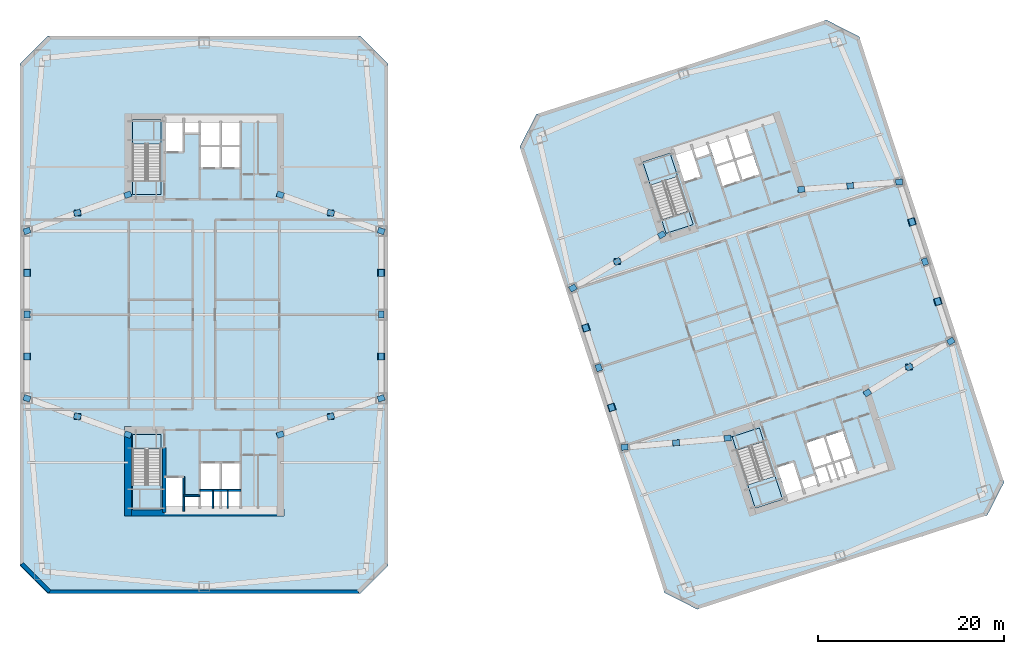
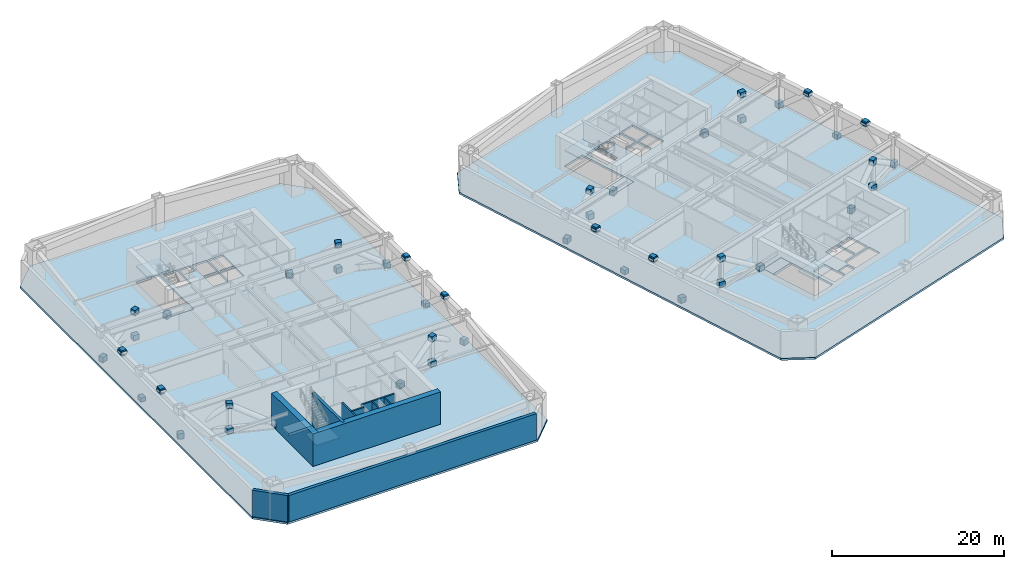
# One storey, part 8 of 16: 52 plates, 10 slabs, 10 walls, 4 elements without a shape of their own.
"""IFC4 building model written with IfcOpenShell, lengths in metres."""

from ifc_helpers import new_model, si_unit, direction, frame, frame_2d, origin, origin_2d, place, context, subcontext, project, spatial, polyline, rectangle, outline, extrude, material, layer, layer_set, type_object, element, aggregate, save


model = new_model("IFC4")

# Units and contexts
model_context = context("Model", 3, precision=1e-05, world=origin(), true_north=direction((0.0, 1.0)))
body_context = subcontext(model_context, "Body", "Model", "MODEL_VIEW")
ifc_project = project(units=[si_unit("LENGTHUNIT", "METRE"), si_unit("AREAUNIT", "SQUARE_METRE"), si_unit("VOLUMEUNIT", "CUBIC_METRE"), si_unit("PLANEANGLEUNIT", "RADIAN"), si_unit("MASSUNIT", "GRAM", prefix="KILO")], contexts=[model_context])

# Site, building, storey
site_placement = place(None, origin())
site = spatial("IfcSite", under=ifc_project, at=site_placement, CompositionType="ELEMENT")
building_placement = place(site_placement, origin())
building = spatial("IfcBuilding", under=site, at=building_placement, Name="Qiaolan Cultural Towers", CompositionType="ELEMENT")
storey_placement = place(building_placement, frame((0.0, 0.0, 46.0)))
storey = spatial("IfcBuildingStorey", under=building, at=storey_placement, Name="L10", CompositionType="ELEMENT", Elevation=46.0)

# Plates
ifc_material_1 = material(Name="Steel Q355B", Category="steel")
ifc_layer_1 = layer(ifc_material_1, 0.035888671875)
ifc_layer_set_1 = layer_set([ifc_layer_1], Name="Steel Q355B")
plate_type_1 = type_object("IfcPlateType", Name="PL-CONN-36", PredefinedType="USERDEFINED", material=ifc_layer_set_1)
for number, where, z_axis, x_axis, name in (
    (1, (21.800048828125, 21.10009765625, 0.1298828125), (0.0, 0.0, 1.0), (-0.941053149964, 0.33825873077, 0.0), "L10 Brace End Connection Gusset Plate GP-02-0604"),
    (2, (16.375, 23.050048828125, 3.7099609375), (0.0, 0.0, 1.0), (-0.941053149964, 0.33825873077, 0.0), "L10 Brace End Connection Gusset Plate GP-02-0605"),
    (3, (10.949951171875, 25.0, 0.1298828125), (0.0, 0.0, 1.0), (-0.941053149964, 0.33825873077, 0.0), "L10 Brace End Connection Gusset Plate GP-02-0606"),
    (4, (16.375, 23.050048828125, 0.1298828125), (0.0, 0.0, 1.0), (1.0, 0.0, 0.0), "L10 Brace End Connection Gusset Plate GP-02-0607"),
    (5, (21.800048828125, 46.89990234375, 0.1298828125), (0.0, 0.0, 1.0), (0.941053149964, 0.33825873077, 0.0), "L10 Brace End Connection Gusset Plate GP-02-0608"),
    (6, (16.375, 44.949951171875, 3.7099609375), (0.0, 0.0, 1.0), (0.941053149964, 0.33825873077, 0.0), "L10 Brace End Connection Gusset Plate GP-02-0609"),
    (7, (10.949951171875, 43.0, 0.1298828125), (0.0, 0.0, 1.0), (0.941053149964, 0.33825873077, 0.0), "L10 Brace End Connection Gusset Plate GP-02-0610"),
    (8, (16.375, 44.949951171875, 0.1298828125), (0.0, 0.0, 1.0), (1.0, 0.0, 0.0), "L10 Brace End Connection Gusset Plate GP-02-0611"),
    (9, (38.199951171875, 21.10009765625, 0.1298828125), (0.0, 0.0, 1.0), (0.941053149964, 0.33825873077, 0.0), "L10 Brace End Connection Gusset Plate GP-02-0612"),
    (10, (43.625, 23.050048828125, 3.7099609375), (0.0, 0.0, 1.0), (0.941053149964, 0.33825873077, 0.0), "L10 Brace End Connection Gusset Plate GP-02-0613"),
    (11, (49.050048828125, 25.0, 0.1298828125), (0.0, 0.0, 1.0), (0.941053149964, 0.33825873077, 0.0), "L10 Brace End Connection Gusset Plate GP-02-0614"),
    (12, (43.625, 23.050048828125, 0.1298828125), (0.0, 0.0, 1.0), (1.0, 0.0, 0.0), "L10 Brace End Connection Gusset Plate GP-02-0615"),
    (13, (38.199951171875, 46.89990234375, 0.1298828125), (0.0, 0.0, 1.0), (-0.941053149964, 0.33825873077, 0.0), "L10 Brace End Connection Gusset Plate GP-02-0616"),
    (14, (43.625, 44.949951171875, 3.7099609375), (0.0, 0.0, 1.0), (-0.941053149964, 0.33825873077, 0.0), "L10 Brace End Connection Gusset Plate GP-02-0617"),
    (15, (49.050048828125, 43.0, 0.1298828125), (0.0, 0.0, 1.0), (-0.941053149964, 0.33825873077, 0.0), "L10 Brace End Connection Gusset Plate GP-02-0618"),
    (16, (43.625, 44.949951171875, 0.1298828125), (0.0, 0.0, 1.0), (1.0, 0.0, 0.0), "L10 Brace End Connection Gusset Plate GP-02-0619"),
    (17, (10.949951171875, 29.5, 3.81005859375), (0.0, 0.0, 1.0), (0.0, 1.0, 0.0), "L10 Brace End Connection Gusset Plate GP-02-0620"),
    (18, (10.949951171875, 34.0, -0.169921875), (0.0, 0.0, 1.0), (0.0, 1.0, 0.0), "L10 Brace End Connection Gusset Plate GP-02-0621"),
    (19, (10.949951171875, 38.5, 3.81005859375), (0.0, 0.0, 1.0), (0.0, 1.0, 0.0), "L10 Brace End Connection Gusset Plate GP-02-0622"),
    (20, (49.050048828125, 29.5, 3.81005859375), (0.0, 0.0, 1.0), (0.0, 1.0, 0.0), "L10 Brace End Connection Gusset Plate GP-02-0623"),
    (21, (49.050048828125, 34.0, -0.169921875), (0.0, 0.0, 1.0), (0.0, 1.0, 0.0), "L10 Brace End Connection Gusset Plate GP-02-0624"),
    (22, (49.050048828125, 38.5, 3.81005859375), (0.0, 0.0, 1.0), (0.0, 1.0, 0.0), "L10 Brace End Connection Gusset Plate GP-02-0625"),
    (23, (86.32568359375, 20.71435546875, 0.1298828125), (0.0, 0.0, 1.0), (0.996157081921, 0.08758463415, 0.0), "L10 Brace End Connection Gusset Plate GP-02-0626"),
    (24, (80.780029296875, 20.226806640625, 3.7099609375), (0.0, 0.0, 1.0), (0.996157081921, 0.08758463415, 0.0), "L10 Brace End Connection Gusset Plate GP-02-0627"),
    (25, (75.234130859375, 19.739013671875, 0.1298828125), (0.0, 0.0, 1.0), (0.996157081921, 0.08758463415, 0.0), "L10 Brace End Connection Gusset Plate GP-02-0628"),
    (26, (80.780029296875, 20.226806640625, 0.1298828125), (0.0, 0.0, 1.0), (1.0, 0.0, 0.0), "L10 Brace End Connection Gusset Plate GP-02-0629"),
    (27, (79.21826171875, 42.588623046875, 0.1298828125), (0.0, 0.0, 1.0), (0.857388964622, 0.514668984246, 0.0), "L10 Brace End Connection Gusset Plate GP-02-0630"),
    (28, (74.445068359375, 39.723388671875, 3.7099609375), (0.0, 0.0, 1.0), (0.857388964622, 0.514668984246, 0.0), "L10 Brace End Connection Gusset Plate GP-02-0631"),
    (29, (69.671875, 36.858154296875, 0.1298828125), (0.0, 0.0, 1.0), (0.857388964622, 0.514668984246, 0.0), "L10 Brace End Connection Gusset Plate GP-02-0632"),
    (30, (74.445068359375, 39.723388671875, 0.1298828125), (0.0, 0.0, 1.0), (1.0, 0.0, 0.0), "L10 Brace End Connection Gusset Plate GP-02-0633"),
    (31, (101.352294921875, 25.5966796875, 0.1298828125), (0.0, 0.0, 1.0), (0.850747244003, 0.525575043948, 0.0), "L10 Brace End Connection Gusset Plate GP-02-0634"),
    (32, (105.84033203125, 28.369384765625, 3.7099609375), (0.0, 0.0, 1.0), (0.850747244003, 0.525575043948, 0.0), "L10 Brace End Connection Gusset Plate GP-02-0635"),
    (33, (110.328125, 31.141845703125, 0.1298828125), (0.0, 0.0, 1.0), (0.850747244003, 0.525575043948, 0.0), "L10 Brace End Connection Gusset Plate GP-02-0636"),
    (34, (105.84033203125, 28.369384765625, 0.1298828125), (0.0, 0.0, 1.0), (1.0, 0.0, 0.0), "L10 Brace End Connection Gusset Plate GP-02-0637"),
    (35, (94.244873046875, 47.47119140625, 0.1298828125), (0.0, 0.0, 1.0), (0.997194235509, 0.074857575889, 0.0), "L10 Brace End Connection Gusset Plate GP-02-0638"),
    (36, (99.50537109375, 47.865966796875, 3.7099609375), (0.0, 0.0, 1.0), (0.997194235509, 0.074857575889, 0.0), "L10 Brace End Connection Gusset Plate GP-02-0639"),
    (37, (104.765869140625, 48.260986328125, 0.1298828125), (0.0, 0.0, 1.0), (0.997194235509, 0.074857575889, 0.0), "L10 Brace End Connection Gusset Plate GP-02-0640"),
    (38, (99.50537109375, 47.865966796875, 0.1298828125), (0.0, 0.0, 1.0), (1.0, 0.0, 0.0), "L10 Brace End Connection Gusset Plate GP-02-0641"),
    (39, (73.843505859375, 24.018798828125, 3.81005859375), (0.0, 0.0, 1.0), (-0.309017027573, 0.951056505508, 0.0), "L10 Brace End Connection Gusset Plate GP-02-0642"),
    (40, (72.453125, 28.298583984375, -0.169921875), (0.0, 0.0, 1.0), (-0.309017027573, 0.951056505508, 0.0), "L10 Brace End Connection Gusset Plate GP-02-0643"),
    (41, (71.0625, 32.578369140625, 3.81005859375), (0.0, 0.0, 1.0), (-0.309016994375, 0.951056516295, 0.0), "L10 Brace End Connection Gusset Plate GP-02-0644"),
    (42, (108.9375, 35.421630859375, 3.81005859375), (0.0, 0.0, 1.0), (-0.309016994375, 0.951056516295, 0.0), "L10 Brace End Connection Gusset Plate GP-02-0645"),
    (43, (107.546875, 39.701416015625, -0.169921875), (0.0, 0.0, 1.0), (-0.309016994375, 0.951056516295, 0.0), "L10 Brace End Connection Gusset Plate GP-02-0646"),
    (44, (106.156494140625, 43.981201171875, 3.81005859375), (0.0, 0.0, 1.0), (-0.309017027573, 0.951056505508, 0.0), "L10 Brace End Connection Gusset Plate GP-02-0647"),
):
    element("IfcPlate", number, at=place(storey_placement, frame(where, z_axis=z_axis, x_axis=x_axis)), inside=storey, type_object=plate_type_1, Name=name, ObjectType="GUSSET_PLATE", PredefinedType="USERDEFINED", context=body_context, shape_type="SweptSolid", body=[
        extrude(rectangle(XDim=0.739990234375, YDim=0.6201171875, at=origin_2d()), origin(), (0.0, 0.0, 1.0), 0.739990234375),
    ])
ifc_material_2 = material(Name="Steel Q355B", Category="steel")
ifc_layer_2 = layer(ifc_material_2, 0.030029296875)
ifc_layer_set_2 = layer_set([ifc_layer_2], Name="Steel Q355B")
plate_type_2 = type_object("IfcPlateType", Name="PL-ENDCAP-30", PredefinedType="USERDEFINED", material=ifc_layer_set_2)
for number, where, z_axis, x_axis, name in (
    (45, (10.949951171875, 29.5, 4.0048828125), (0.0, 0.0, 1.0), (1.0, 0.0, 0.0), "Belt Truss Apex Seal Plate CP-01"),
    (46, (10.949951171875, 38.5, 4.0048828125), (0.0, 0.0, 1.0), (1.0, 0.0, 0.0), "Belt Truss Apex Seal Plate CP-01"),
    (47, (49.050048828125, 29.5, 4.0048828125), (0.0, 0.0, 1.0), (1.0, 0.0, 0.0), "Belt Truss Apex Seal Plate CP-01"),
    (48, (49.050048828125, 38.5, 4.0048828125), (0.0, 0.0, 1.0), (1.0, 0.0, 0.0), "Belt Truss Apex Seal Plate CP-01"),
    (49, (73.843505859375, 24.018798828125, 4.0048828125), (0.0, 0.0, 1.0), (0.951056516295, 0.309016994375, 0.0), "Belt Truss Apex Seal Plate CP-01"),
    (50, (71.0625, 32.578369140625, 4.0048828125), (0.0, 0.0, 1.0), (0.951056516295, 0.309016994375, 0.0), "Belt Truss Apex Seal Plate CP-01"),
    (51, (108.9375, 35.421630859375, 4.0048828125), (0.0, 0.0, 1.0), (0.951056516295, 0.309016994375, 0.0), "Belt Truss Apex Seal Plate CP-01"),
    (52, (106.156494140625, 43.981201171875, 4.0048828125), (0.0, 0.0, 1.0), (0.951056516295, 0.309016994375, 0.0), "Belt Truss Apex Seal Plate CP-01"),
):
    element("IfcPlate", number, at=place(storey_placement, frame(where, z_axis=z_axis, x_axis=x_axis)), inside=storey, type_object=plate_type_2, Name=name, ObjectType="BASE_PLATE", PredefinedType="USERDEFINED", context=body_context, shape_type="SweptSolid", body=[
        extrude(rectangle(XDim=0.800048828125, YDim=0.800048828125, at=origin_2d()), origin(), (0.0, 0.0, 1.0), 0.35009765625),
    ])

# Slabs
ifc_material_3 = material(Name="Concrete C50", Category="concrete")
ifc_layer_3 = layer(ifc_material_3, 0.280029296875)
ifc_layer_set_3 = layer_set([ifc_layer_3], Name="Concrete C50")
slab_type_1 = type_object("IfcSlabType", Name="SL-REF-280", PredefinedType="FLOOR", material=ifc_layer_set_3)
slab_1_placement = place(storey_placement, frame((0.0, 0.0, -0.280029296875)))
element("IfcSlab", 53, at=slab_1_placement, inside=storey, type_object=slab_type_1, Name="L10 West Tower Floor Slab", PredefinedType="FLOOR", context=body_context, shape_type="SweptSolid", body=[
    extrude(outline(polyline([(13.199951171875, 4.0), (46.800048828125, 4.0), (49.800048828125, 7.0), (49.800048828125, 61.0), (46.800048828125, 64.0), (13.199951171875, 64.0), (10.199951171875, 61.0), (10.199951171875, 7.0), (13.199951171875, 4.0)]), holes=[polyline([(22.300048828125, 21.10009765625), (22.300048828125, 13.0), (25.3798828125, 13.0), (25.3798828125, 21.10009765625), (22.300048828125, 21.10009765625)]), polyline([(25.3798828125, 46.89990234375), (25.3798828125, 55.0), (22.300048828125, 55.0), (22.300048828125, 46.89990234375), (25.3798828125, 46.89990234375)]), polyline([(25.89990234375, 13.199951171875), (27.75, 13.199951171875), (27.75, 16.449951171875), (25.89990234375, 16.449951171875), (25.89990234375, 13.199951171875)]), polyline([(27.93994140625, 13.25), (29.449951171875, 13.25), (29.449951171875, 14.419921875), (27.93994140625, 14.419921875), (27.93994140625, 13.25)]), polyline([(29.679931640625, 15.199951171875), (31.679931640625, 15.199951171875), (31.679931640625, 18.0), (29.679931640625, 18.0), (29.679931640625, 15.199951171875)]), polyline([(31.8798828125, 15.199951171875), (33.820068359375, 15.199951171875), (33.820068359375, 18.0), (31.8798828125, 18.0), (31.8798828125, 15.199951171875)]), polyline([(29.679931640625, 13.25), (33.820068359375, 13.25), (33.820068359375, 14.97998046875), (29.679931640625, 14.97998046875), (29.679931640625, 13.25)]), polyline([(25.89990234375, 51.550048828125), (27.75, 51.550048828125), (27.75, 54.800048828125), (25.89990234375, 54.800048828125), (25.89990234375, 51.550048828125)]), polyline([(27.93994140625, 53.580078125), (29.449951171875, 53.580078125), (29.449951171875, 54.75), (27.93994140625, 54.75), (27.93994140625, 53.580078125)]), polyline([(29.679931640625, 49.820068359375), (31.679931640625, 49.820068359375), (31.679931640625, 52.080078125), (29.679931640625, 52.080078125), (29.679931640625, 49.820068359375)]), polyline([(31.8798828125, 49.820068359375), (33.820068359375, 49.820068359375), (33.820068359375, 52.080078125), (31.8798828125, 52.080078125), (31.8798828125, 49.820068359375)]), polyline([(29.679931640625, 52.27001953125), (31.659912109375, 52.27001953125), (31.659912109375, 54.75), (29.679931640625, 54.75), (29.679931640625, 52.27001953125)]), polyline([(31.8798828125, 52.27001953125), (33.820068359375, 52.27001953125), (33.820068359375, 54.75), (31.8798828125, 54.75), (31.8798828125, 52.27001953125)])]), origin(), (0.0, 0.0, 1.0), 0.280029296875),
])
slab_2_placement = place(storey_placement, frame((0.0, 0.0, -0.280029296875)))
element("IfcSlab", 54, at=slab_2_placement, inside=storey, type_object=slab_type_1, Name="L10 East Tower Floor Slab", PredefinedType="FLOOR", context=body_context, shape_type="SweptSolid", body=[
    extrude(outline(polyline([(83.05517578125, 2.302490234375), (114.249755859375, 12.438232421875), (116.047607421875, 15.966552734375), (100.47314453125, 63.899658203125), (96.94482421875, 65.697509765625), (65.750244140625, 55.561767578125), (63.952392578125, 52.033447265625), (79.52685546875, 4.100341796875), (83.05517578125, 2.302490234375)]), holes=[polyline([(86.80126953125, 20.868896484375), (89.30419921875, 13.165283203125), (92.2333984375, 14.116943359375), (89.73046875, 21.820556640625), (86.80126953125, 20.868896484375)]), polyline([(82.623046875, 43.69482421875), (80.1201171875, 51.3984375), (77.190673828125, 50.44677734375), (79.69384765625, 42.7431640625), (82.623046875, 43.69482421875)]), polyline([(92.666259765625, 14.468017578125), (94.42578125, 15.03955078125), (93.42138671875, 18.130615234375), (91.661865234375, 17.558837890625), (92.666259765625, 14.468017578125)]), polyline([(94.5908203125, 15.14599609375), (96.027099609375, 15.612548828125), (95.66552734375, 16.725341796875), (94.2294921875, 16.258544921875), (94.5908203125, 15.14599609375)]), polyline([(95.643310546875, 17.5380859375), (97.54541015625, 18.15625), (96.68017578125, 20.819091796875), (94.77783203125, 20.201171875), (95.643310546875, 17.5380859375)]), polyline([(97.735595703125, 18.218017578125), (99.58056640625, 18.8173828125), (98.71533203125, 21.48046875), (96.870361328125, 20.880859375), (97.735595703125, 18.218017578125)]), polyline([(96.245849609375, 15.68359375), (100.18310546875, 16.962890625), (99.6484375, 18.608154296875), (95.711181640625, 17.328857421875), (96.245849609375, 15.68359375)]), polyline([(81.6806640625, 48.278076171875), (83.440185546875, 48.849609375), (82.435791015625, 51.940673828125), (80.67626953125, 51.368896484375), (81.6806640625, 48.278076171875)]), polyline([(82.993408203125, 50.839111328125), (84.4296875, 51.3056640625), (84.068115234375, 52.41845703125), (82.632080078125, 51.95166015625), (82.993408203125, 50.839111328125)]), polyline([(85.810302734375, 47.80078125), (87.71240234375, 48.418701171875), (87.013916015625, 50.568115234375), (85.11181640625, 49.9501953125), (85.810302734375, 47.80078125)]), polyline([(87.902587890625, 48.480712890625), (89.74755859375, 49.080078125), (89.04931640625, 51.2294921875), (87.2041015625, 50.6298828125), (87.902587890625, 48.480712890625)]), polyline([(85.05322265625, 50.130859375), (86.936279296875, 50.74267578125), (86.169921875, 53.101318359375), (84.286865234375, 52.489501953125), (85.05322265625, 50.130859375)]), polyline([(87.1455078125, 50.810791015625), (88.990478515625, 51.41015625), (88.22412109375, 53.768798828125), (86.379150390625, 53.169189453125), (87.1455078125, 50.810791015625)])]), origin(), (0.0, 0.0, 1.0), 0.280029296875),
])

# Stair, slab
ifc_material_4 = material(Name="Concrete C45", Category="concrete")
stair_type = type_object("IfcStairType", Name="STR-CORE-1500", PredefinedType="HALF_TURN_STAIR", material=ifc_material_4)
stair_1_placement = place(storey_placement, origin())
stair_1 = element("IfcStair", 55, at=stair_1_placement, inside=storey, type_object=stair_type, Name="L10 Smokeproof Exit Stair ST-W1", PredefinedType="HALF_TURN_STAIR")
ifc_material_5 = material(Name="Concrete C45", Category="concrete")
ifc_layer_4 = layer(ifc_material_5, 0.199951171875)
ifc_layer_set_4 = layer_set([ifc_layer_4], Name="Concrete C45")
slab_type_2 = type_object("IfcSlabType", Name="SL-STAIR-LAND", PredefinedType="LANDING", material=ifc_layer_set_4)
slab_3_placement = place(storey_placement, frame((0.0, 0.0, 2.10009765625)))
slab_3 = element("IfcSlab", 56, at=slab_3_placement, type_object=slab_type_2, Name="ST-W1 landing 1", PredefinedType="LANDING", context=body_context, shape_type="SweptSolid", body=[
    extrude(outline(polyline([(22.300048828125, 15.6513671875), (22.300048828125, 13.0), (25.3798828125, 13.0), (25.3798828125, 15.6513671875), (22.300048828125, 15.6513671875)])), origin(), (0.0, 0.0, 1.0), 0.199951171875),
])
aggregate(stair_1, [slab_3])

stair_2_placement = place(storey_placement, origin())
stair_2 = element("IfcStair", 57, at=stair_2_placement, inside=storey, type_object=stair_type, Name="L10 Smokeproof Exit Stair ST-W2", PredefinedType="HALF_TURN_STAIR")
slab_4_placement = place(storey_placement, frame((0.0, 0.0, 2.10009765625)))
slab_4 = element("IfcSlab", 58, at=slab_4_placement, type_object=slab_type_2, Name="ST-W2 landing 1", PredefinedType="LANDING", context=body_context, shape_type="SweptSolid", body=[
    extrude(outline(polyline([(25.3798828125, 52.3486328125), (25.3798828125, 55.0), (22.300048828125, 55.0), (22.300048828125, 52.3486328125), (25.3798828125, 52.3486328125)])), origin(), (0.0, 0.0, 1.0), 0.199951171875),
])
aggregate(stair_2, [slab_4])

stair_3_placement = place(storey_placement, origin())
stair_3 = element("IfcStair", 59, at=stair_3_placement, inside=storey, type_object=stair_type, Name="L10 Smokeproof Exit Stair ST-E1", PredefinedType="HALF_TURN_STAIR")
slab_5_placement = place(storey_placement, frame((0.0, 0.0, 2.10009765625)))
slab_5 = element("IfcSlab", 60, at=slab_5_placement, type_object=slab_type_2, Name="ST-E1 landing 1", PredefinedType="LANDING", context=body_context, shape_type="SweptSolid", body=[
    extrude(outline(polyline([(88.48486328125, 15.686767578125), (89.30419921875, 13.165283203125), (92.2333984375, 14.116943359375), (91.414306640625, 16.638671875), (88.48486328125, 15.686767578125)])), origin(), (0.0, 0.0, 1.0), 0.199951171875),
])
aggregate(stair_3, [slab_5])

stair_4_placement = place(storey_placement, origin())
stair_4 = element("IfcStair", 61, at=stair_4_placement, inside=storey, type_object=stair_type, Name="L10 Smokeproof Exit Stair ST-E2", PredefinedType="HALF_TURN_STAIR")
slab_6_placement = place(storey_placement, frame((0.0, 0.0, 2.10009765625)))
slab_6 = element("IfcSlab", 62, at=slab_6_placement, type_object=slab_type_2, Name="ST-E2 landing 1", PredefinedType="LANDING", context=body_context, shape_type="SweptSolid", body=[
    extrude(outline(polyline([(80.939208984375, 48.876953125), (80.1201171875, 51.3984375), (77.190673828125, 50.44677734375), (78.010009765625, 47.925048828125), (80.939208984375, 48.876953125)])), origin(), (0.0, 0.0, 1.0), 0.199951171875),
])
aggregate(stair_4, [slab_6])

# Slabs
ifc_material_6 = material(Name="Concrete C40", Category="concrete")
ifc_layer_5 = layer(ifc_material_6, 0.360107421875)
ifc_layer_set_5 = layer_set([ifc_layer_5], Name="Concrete C40")
slab_type_3 = type_object("IfcSlabType", Name="SL-STFLR-360", PredefinedType="LANDING", material=ifc_layer_set_5)
slab_7_placement = place(storey_placement, frame((0.0, 0.0, -0.360107421875)))
element("IfcSlab", 63, at=slab_7_placement, inside=storey, type_object=slab_type_3, Name="L10 ST-W1 Stair Floor Landing Slab", PredefinedType="LANDING", context=body_context, shape_type="SweptSolid", body=[
    extrude(outline(polyline([(22.302001953125, 21.097900390625), (22.302001953125, 19.548583984375), (25.3779296875, 19.548583984375), (25.3779296875, 21.097900390625), (22.302001953125, 21.097900390625)])), origin(), (0.0, 0.0, 1.0), 0.360107421875),
])
slab_8_placement = place(storey_placement, frame((0.0, 0.0, -0.360107421875)))
element("IfcSlab", 64, at=slab_8_placement, inside=storey, type_object=slab_type_3, Name="L10 ST-W2 Stair Floor Landing Slab", PredefinedType="LANDING", context=body_context, shape_type="SweptSolid", body=[
    extrude(outline(polyline([(25.3779296875, 46.902099609375), (25.3779296875, 48.451416015625), (22.302001953125, 48.451416015625), (22.302001953125, 46.902099609375), (25.3779296875, 46.902099609375)])), origin(), (0.0, 0.0, 1.0), 0.360107421875),
])
slab_9_placement = place(storey_placement, frame((0.0, 0.0, -0.360107421875)))
element("IfcSlab", 65, at=slab_9_placement, inside=storey, type_object=slab_type_3, Name="L10 ST-E1 Stair Floor Landing Slab", PredefinedType="LANDING", context=body_context, shape_type="SweptSolid", body=[
    extrude(outline(polyline([(86.8037109375, 20.867431640625), (87.282470703125, 19.39404296875), (90.2080078125, 20.3447265625), (89.729248046875, 21.818115234375), (86.8037109375, 20.867431640625)])), origin(), (0.0, 0.0, 1.0), 0.360107421875),
])
slab_10_placement = place(storey_placement, frame((0.0, 0.0, -0.360107421875)))
element("IfcSlab", 66, at=slab_10_placement, inside=storey, type_object=slab_type_3, Name="L10 ST-E2 Stair Floor Landing Slab", PredefinedType="LANDING", context=body_context, shape_type="SweptSolid", body=[
    extrude(outline(polyline([(82.62060546875, 43.6962890625), (82.141845703125, 45.169677734375), (79.21630859375, 44.21923828125), (79.695068359375, 42.74560546875), (82.62060546875, 43.6962890625)])), origin(), (0.0, 0.0, 1.0), 0.360107421875),
])

# Walls
ifc_material_7 = material(Name="Concrete C50", Category="concrete")
ifc_layer_6 = layer(ifc_material_7, 0.35009765625)
ifc_layer_set_6 = layer_set([ifc_layer_6], Name="Concrete C50")
wall_type_1 = type_object("IfcWallType", Name="WL-CORE-350", PredefinedType="SHEAR", material=ifc_layer_set_6)
wall_1_placement = place(storey_placement, frame((25.719970703125, 19.699951171875, 0.0), z_axis=(0.0, 0.0, 1.0), x_axis=(0.0, -1.0, 0.0)))
element("IfcWall", 67, at=wall_1_placement, inside=storey, type_object=wall_type_1, Name="L10 T1-CS Stair Core Dividing Web", PredefinedType="SHEAR", context=body_context, shape_type="SweptSolid", body=[
    extrude(rectangle(XDim=6.97998046875, YDim=0.35009765625, at=frame_2d((3.489990234375, 0.0))), origin(), (0.0, 0.0, 1.0), 4.60009765625),
])
ifc_material_8 = material(Name="Concrete C60", Category="concrete")
ifc_layer_7 = layer(ifc_material_8, 0.75)
ifc_layer_set_7 = layer_set([ifc_layer_7], Name="Concrete C60")
wall_type_2 = type_object("IfcWallType", Name="WL-CORE-750", PredefinedType="SHEAR", material=ifc_layer_set_7)
wall_2_placement = place(storey_placement, frame((21.425048828125, 12.719970703125, 0.0), z_axis=(0.0, 0.0, 1.0), x_axis=(1.0, 0.0, 0.0)))
element("IfcWall", 68, at=wall_2_placement, inside=storey, type_object=wall_type_2, Name="L10 T1-CS Outer Core Shear Wall", PredefinedType="SHEAR", context=body_context, shape_type="SweptSolid", body=[
    extrude(rectangle(XDim=17.14990234375, YDim=0.75, at=frame_2d((8.574951171875, 0.0))), origin(), (0.0, 0.0, 1.0), 4.60009765625),
])
wall_3_placement = place(storey_placement, frame((21.800048828125, 21.97509765625, 0.0), z_axis=(0.0, 0.0, 1.0), x_axis=(0.0, -1.0, 0.0)))
element("IfcWall", 69, at=wall_3_placement, inside=storey, type_object=wall_type_2, Name="L10 T1-CS West Core Shear Wall", PredefinedType="SHEAR", context=body_context, shape_type="SweptSolid", body=[
    extrude(rectangle(XDim=9.630126953125, YDim=0.75, at=frame_2d((4.81494140625, 0.0))), origin(), (0.0, 0.0, 1.0), 4.60009765625),
])
ifc_material_9 = material(Name="Precast Concrete C50 Honed Stone Pier", Category="masonry")
ifc_layer_8 = layer(ifc_material_9, 0.39990234375)
ifc_layer_set_8 = layer_set([ifc_layer_8], Name="Precast Concrete C50 Honed Stone Pier")
wall_type_3 = type_object("IfcWallType", Name="WL-EXT-PIER-400", PredefinedType="SOLIDWALL", material=ifc_layer_set_8)
wall_4_placement = place(storey_placement, frame((46.60009765625, 4.199951171875, 0.0), z_axis=(0.0, 0.0, 1.0), x_axis=(-1.0, 0.0, 0.0)))
element("IfcWall", 70, at=wall_4_placement, inside=storey, type_object=wall_type_3, Name="L10 West Tower Precast Pier Facade Wall F7", PredefinedType="SOLIDWALL", context=body_context, shape_type="SweptSolid", body=[
    extrude(rectangle(XDim=33.2001953125, YDim=0.39990234375, at=frame_2d((16.60009765625, 0.0))), origin(), (0.0, 0.0, 1.0), 3.760009765625),
])
wall_5_placement = place(storey_placement, frame((13.39990234375, 4.199951171875, 0.0), z_axis=(0.0, 0.0, 1.0), x_axis=(-0.707106781187, 0.707106781187, 0.0)))
element("IfcWall", 71, at=wall_5_placement, inside=storey, type_object=wall_type_3, Name="L10 West Tower Precast Pier Facade Wall F8", PredefinedType="SOLIDWALL", context=body_context, shape_type="SweptSolid", body=[
    extrude(rectangle(XDim=4.24267578125, YDim=0.39990234375, at=frame_2d((2.121337890625, 0.0))), origin(), (0.0, 0.0, 1.0), 3.760009765625),
])
ifc_material_10 = material(Name="Concrete C35 Fire Wall", Category="concrete")
ifc_layer_9 = layer(ifc_material_10, 0.199951171875)
ifc_layer_set_9 = layer_set([ifc_layer_9], Name="Concrete C35 Fire Wall")
wall_type_4 = type_object("IfcWallType", Name="WL-FIRE-200", PredefinedType="PARTITIONING", material=ifc_layer_set_9)
wall_6_placement = place(storey_placement, frame((27.820068359375, 16.550048828125, 0.0), z_axis=(0.0, 0.0, 1.0), x_axis=(0.0, -1.0, 0.0)))
element("IfcWall", 72, at=wall_6_placement, inside=storey, type_object=wall_type_4, Name="L10 T1-CS Firefighting Hoistway East Wall", PredefinedType="PARTITIONING", context=body_context, shape_type="SweptSolid", body=[
    extrude(rectangle(XDim=3.699951171875, YDim=0.199951171875, at=frame_2d((1.85009765625, 0.0))), origin(), (0.0, 0.0, 1.0), 4.324951171875),
])
wall_7_placement = place(storey_placement, frame((27.820068359375, 14.52001953125, 0.0), z_axis=(0.0, 0.0, 1.0), x_axis=(1.0, 0.0, 0.0)))
element("IfcWall", 73, at=wall_7_placement, inside=storey, type_object=wall_type_4, Name="L10 T1-CS Pressurization Shaft Front Wall", PredefinedType="PARTITIONING", context=body_context, shape_type="SweptSolid", body=[
    extrude(rectangle(XDim=1.72998046875, YDim=0.199951171875, at=frame_2d((0.864990234375, 0.0))), origin(), (0.0, 0.0, 1.0), 4.324951171875),
])
wall_8_placement = place(storey_placement, frame((29.550048828125, 15.10009765625, 0.0), z_axis=(0.0, 0.0, 1.0), x_axis=(1.0, 0.0, 0.0)))
element("IfcWall", 74, at=wall_8_placement, inside=storey, type_object=wall_type_4, Name="L10 T1-CS Passenger Lift Shaft Back Wall", PredefinedType="PARTITIONING", context=body_context, shape_type="SweptSolid", body=[
    extrude(rectangle(XDim=4.39990234375, YDim=0.199951171875, at=frame_2d((2.199951171875, 0.0))), origin(), (0.0, 0.0, 1.0), 4.324951171875),
])
ifc_material_11 = material(Name="Autoclaved Aerated Concrete Block B06", Category="concrete")
ifc_layer_10 = layer(ifc_material_11, 0.14990234375)
ifc_layer_set_10 = layer_set([ifc_layer_10], Name="Autoclaved Aerated Concrete Block B06")
wall_type_5 = type_object("IfcWallType", Name="WL-PART-150", PredefinedType="PARTITIONING", material=ifc_layer_set_10)
for number, where, z_axis, x_axis, name in (
    (75, (30.949951171875, 15.050048828125, 0.0), (0.0, 0.0, 1.0), (0.0, -1.0, 0.0), "L10 T1-CS Core Rear Split 1"),
    (76, (32.550048828125, 15.050048828125, 0.0), (0.0, 0.0, 1.0), (0.0, -1.0, 0.0), "L10 T1-CS Core Rear Split 2"),
):
    element("IfcWall", number, at=place(storey_placement, frame(where, z_axis=z_axis, x_axis=x_axis)), inside=storey, type_object=wall_type_5, Name=name, PredefinedType="PARTITIONING", context=body_context, shape_type="SweptSolid", body=[
        extrude(rectangle(XDim=1.880126953125, YDim=0.14990234375, at=frame_2d((0.93994140625, 0.0))), origin(), (0.0, 0.0, 1.0), 4.324951171875),
    ])

save(model, "model.ifc")
